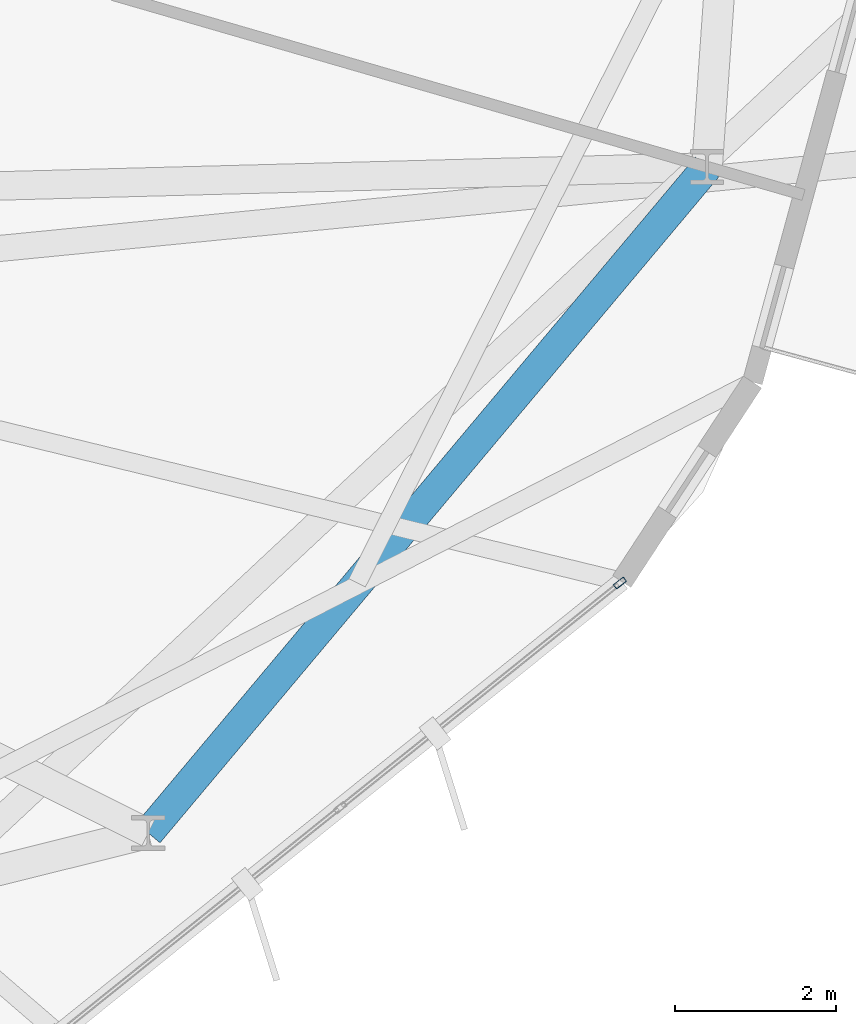
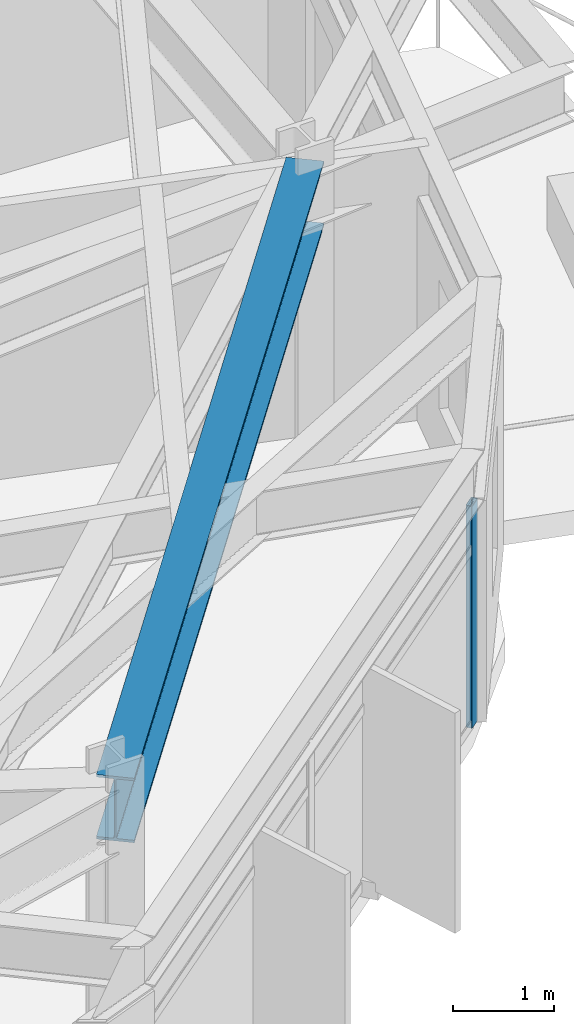
# One storey, part 10 of 23: 1 beam, 1 member, 1 element without a shape of its own.
"""IFC4 building model written with IfcOpenShell, lengths in metres."""

from ifc_helpers import new_model, si_unit, direction, frame, origin, origin_2d, place, context, subcontext, project, spatial, hollow_rectangle, i_section, extrude, material, layer, layer_set, material_profile, profile_set, type_object, element, aggregate, save


model = new_model("IFC4")

# Units and contexts
model_context = context("Model", 3, precision=1e-05, world=origin(), true_north=direction((0.0, 1.0)))
body_context = subcontext(model_context, "Body", "Model", "MODEL_VIEW")
ifc_project = project(units=[si_unit("LENGTHUNIT", "METRE"), si_unit("AREAUNIT", "SQUARE_METRE"), si_unit("VOLUMEUNIT", "CUBIC_METRE"), si_unit("PLANEANGLEUNIT", "RADIAN"), si_unit("MASSUNIT", "GRAM", prefix="KILO")], contexts=[model_context])

# Site, building, storey
site_placement = place(None, origin())
site = spatial("IfcSite", under=ifc_project, at=site_placement, CompositionType="ELEMENT")
building_placement = place(site_placement, origin())
building = spatial("IfcBuilding", under=site, at=building_placement, Name="Soratama Intermodal Tower", CompositionType="ELEMENT")
storey_placement = place(building_placement, frame((0.0, 0.0, 175.0)))
storey = spatial("IfcBuildingStorey", under=building, at=storey_placement, Name="L43", CompositionType="ELEMENT", Elevation=175.0)

# Beam
ifc_material_1 = material(Name="Structural steel ASTM A992 Grade 50", Category="steel")
ifc_material_profile_1 = material_profile(ifc_material_1, i_section(OverallWidth=0.382080078125, OverallDepth=0.779052734375, WebThickness=0.01806640625, FlangeThickness=0.030029296875, FilletRadius=0.01806640625, at=origin_2d()), Name="W30X191")
ifc_profile_set_1 = profile_set([ifc_material_profile_1], Name="Structural steel ASTM A992 Grade 50")
beam_type = type_object("IfcBeamType", Name="BM-RING-W30X191", PredefinedType="BEAM", material=ifc_profile_set_1)
beam_placement = place(storey_placement, frame((54.27392578125, 10.158935546875, 2.910400390625), z_axis=(0.642791781199, 0.766040942785, 0.0), x_axis=(-0.766040942785, 0.642791781199, 0.0)))
element("IfcBeam", 1, at=beam_placement, inside=storey, type_object=beam_type, Name="BM-L43-RING-09", PredefinedType="BEAM", context=body_context, shape_type="SweptSolid", body=[
    extrude(i_section(OverallWidth=0.382080078125, OverallDepth=0.779052734375, WebThickness=0.01806640625, FlangeThickness=0.030029296875, FilletRadius=0.01806640625, at=origin_2d()), origin(), (0.0, 0.0, 1.0), 10.815673828125),
])

# Curtain wall, member
ifc_material_2 = material(Name="Double-glazed aluminium curtain wall", Category="aluminium")
ifc_layer = layer(ifc_material_2, 0.159912109375)
ifc_layer_set = layer_set([ifc_layer], Name="Double-glazed aluminium curtain wall")
curtain_wall_type = type_object("IfcCurtainWallType", Name="CW-SYS-4", PredefinedType="NOTDEFINED", material=ifc_layer_set)
curtain_wall_placement = place(storey_placement, origin())
curtain_wall = element("IfcCurtainWall", 2, at=curtain_wall_placement, inside=storey, type_object=curtain_wall_type, Name="L43 Faceted Curtain Wall F08", PredefinedType="NOTDEFINED")
ifc_material_3 = material(Name="Anodised aluminium AA 6063-T6", Category="aluminium")
ifc_material_profile_2 = material_profile(ifc_material_3, hollow_rectangle(XDim=0.070068359375, YDim=0.159912109375, WallThickness=0.0048828125, InnerFilletRadius=0.0048828125, OuterFilletRadius=0.010009765625, at=origin_2d()), Name="CWM160X70X5")
ifc_profile_set_2 = profile_set([ifc_material_profile_2], Name="Anodised aluminium AA 6063-T6")
member_type = type_object("IfcMemberType", Name="MT-CWM-4", PredefinedType="MULLION", material=ifc_profile_set_2)
member_placement = place(storey_placement, frame((60.14208984375, 13.2685546875, 0.0), z_axis=(0.0, 0.0, 1.0), x_axis=(-0.626056684823, 0.779777549938, 0.0)))
member = element("IfcMember", 3, at=member_placement, type_object=member_type, Name="CW-4 mullion 3", PredefinedType="MULLION", context=body_context, shape_type="SweptSolid", body=[
    extrude(hollow_rectangle(XDim=0.070068359375, YDim=0.159912109375, WallThickness=0.0048828125, InnerFilletRadius=0.0048828125, OuterFilletRadius=0.010009765625, at=origin_2d()), origin(), (0.0, 0.0, 1.0), 2.678955078125),
])
aggregate(curtain_wall, [member])

save(model, "model.ifc")
